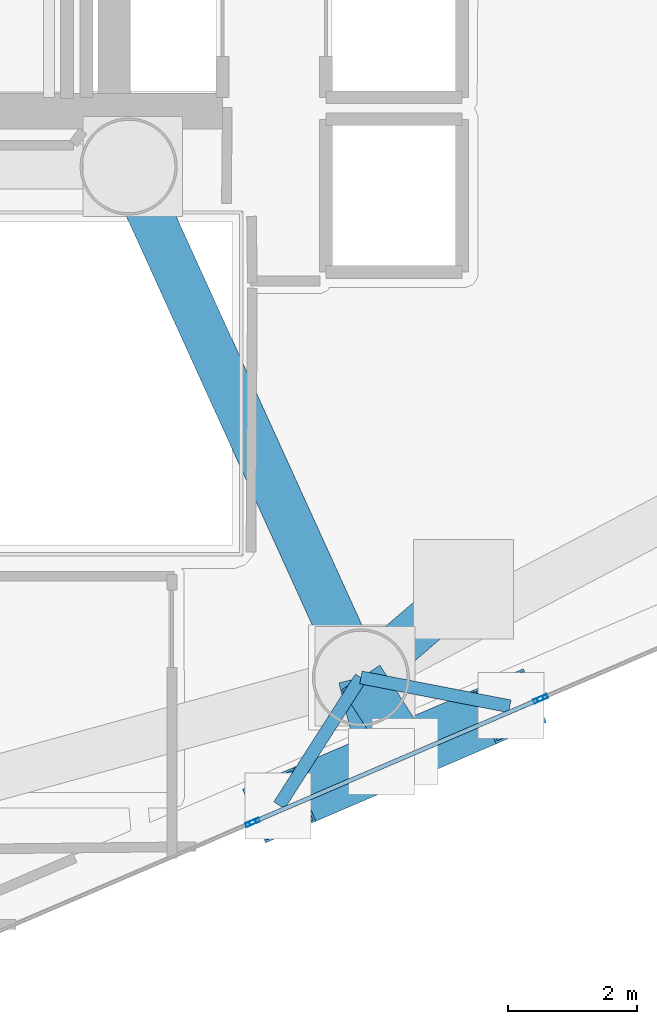
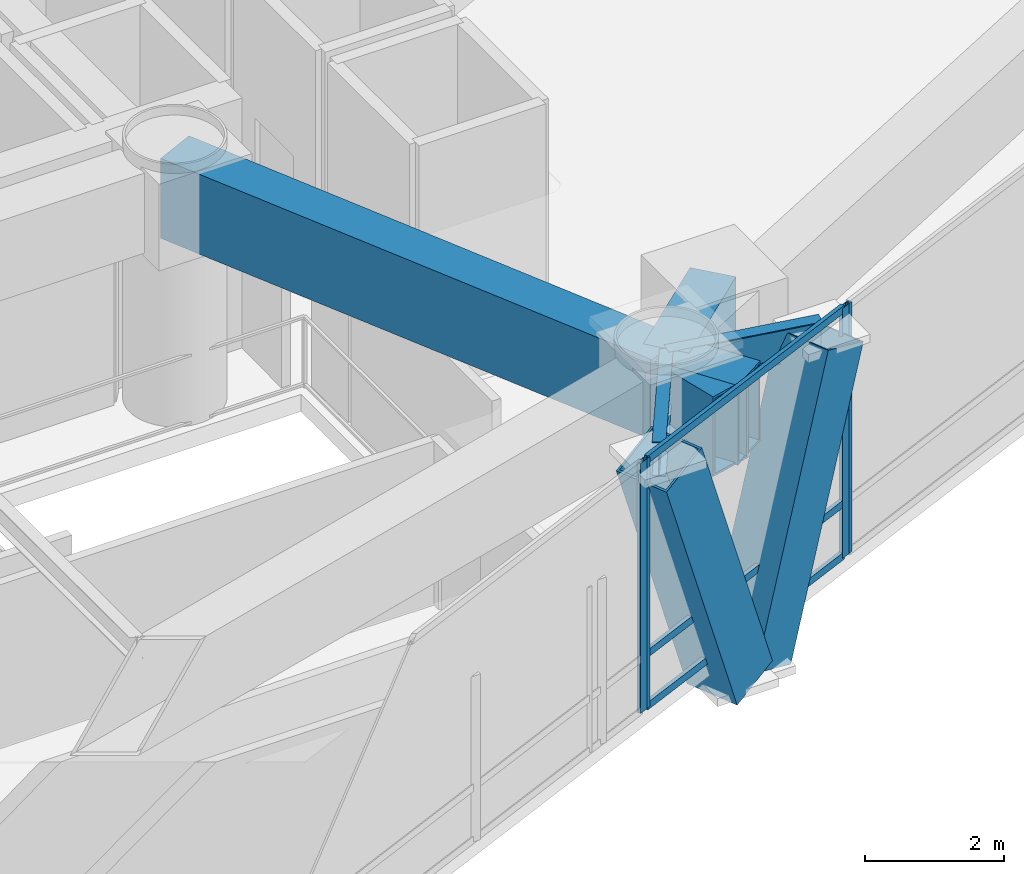
# One storey, part 4 of 22: 9 members, 6 beams, 3 elements without a shape of their own.
"""IFC4 building model written with IfcOpenShell, lengths in metres."""

from ifc_helpers import new_model, si_unit, direction, frame, origin, origin_2d, place, context, subcontext, project, spatial, hollow_rectangle, i_section, extrude, material, layer, layer_set, material_profile, profile_set, type_object, element, aggregate, save


model = new_model("IFC4")

# Units and contexts
model_context = context("Model", 3, precision=1e-05, world=origin(), true_north=direction((0.0, 1.0)))
body_context = subcontext(model_context, "Body", "Model", "MODEL_VIEW")
ifc_project = project(units=[si_unit("LENGTHUNIT", "METRE"), si_unit("AREAUNIT", "SQUARE_METRE"), si_unit("VOLUMEUNIT", "CUBIC_METRE"), si_unit("PLANEANGLEUNIT", "RADIAN"), si_unit("MASSUNIT", "GRAM", prefix="KILO")], contexts=[model_context])

# Site, building, storey
site_placement = place(None, origin())
site = spatial("IfcSite", under=ifc_project, at=site_placement, CompositionType="ELEMENT")
building_placement = place(site_placement, origin())
building = spatial("IfcBuilding", under=site, at=building_placement, Name="Qianvela Tower", CompositionType="ELEMENT")
storey_placement = place(building_placement, frame((0.0, 0.0, 138.5)))
storey = spatial("IfcBuildingStorey", under=building, at=storey_placement, Name="L35", CompositionType="ELEMENT", Elevation=138.5)

# Beams
ifc_material_1 = material(Name="Steel Q355B", Category="steel")
ifc_material_profile_1 = material_profile(ifc_material_1, i_section(OverallWidth=0.199951171875, OverallDepth=0.60009765625, WebThickness=0.010986328125, FlangeThickness=0.01708984375, at=origin_2d()), Name="HN600x200x11x17")
ifc_profile_set_1 = profile_set([ifc_material_profile_1], Name="Steel Q355B")
beam_type_1 = type_object("IfcBeamType", Name="BM-HN600-GIRD", PredefinedType="BEAM", material=ifc_profile_set_1)
for number, where, z_axis, x_axis, name in (
    (1, (41.988037109375, 15.95703125, 4.077880859375), (-0.538391332116, -0.842694946883, 0.0), (0.842694946883, -0.538391332116, 0.0), "L35 Mega-Brace Column Tie Bracket F3-1"),
    (2, (41.988037109375, 15.95703125, 4.077880859375), (0.981760410299, -0.190122320543, 0.0), (0.190122320543, 0.981760410299, 0.0), "L35 Mega-Brace Column Tie Bracket F3-2"),
):
    element("IfcBeam", number, at=place(storey_placement, frame(where, z_axis=z_axis, x_axis=x_axis)), inside=storey, type_object=beam_type_1, Name=name, PredefinedType="BEAM", context=body_context, shape_type="SweptSolid", body=[
        extrude(i_section(OverallWidth=0.199951171875, OverallDepth=0.60009765625, WebThickness=0.010986328125, FlangeThickness=0.01708984375, at=origin_2d()), origin(), (0.0, 0.0, 1.0), 2.343505859375),
    ])
ifc_material_2 = material(Name="Steel Q420GJC", Category="steel")
ifc_material_profile_2 = material_profile(ifc_material_2, hollow_rectangle(XDim=0.699951171875, YDim=1.39990234375, WallThickness=0.0400390625, at=origin_2d()), Name="TG-BOX-1400x700x40")
ifc_profile_set_2 = profile_set([ifc_material_profile_2], Name="Steel Q420GJC")
beam_type_2 = type_object("IfcBeamType", Name="BM-TG-RAD-1400", PredefinedType="BEAM", material=ifc_profile_set_2)
beam_1_placement = place(storey_placement, frame((38.39990234375, 23.85009765625, 3.677978515625), z_axis=(0.413839009437, -0.910350083357, 0.0), x_axis=(0.910350083357, 0.413839009437, 0.0)))
element("IfcBeam", 3, at=beam_1_placement, inside=storey, type_object=beam_type_2, Name="L35 Radial Outrigger Top Transfer Girder 6", PredefinedType="BEAM", context=body_context, shape_type="SweptSolid", body=[
    extrude(hollow_rectangle(XDim=0.699951171875, YDim=1.39990234375, WallThickness=0.0400390625, at=origin_2d()), origin(), (0.0, 0.0, 1.0), 8.67041015625),
])
ifc_material_3 = material(Name="Steel Q420GJC", Category="steel")
ifc_material_profile_3 = material_profile(ifc_material_3, hollow_rectangle(XDim=0.699951171875, YDim=1.39990234375, WallThickness=0.0400390625, at=origin_2d()), Name="TG-BOX-1400x700x40")
ifc_profile_set_3 = profile_set([ifc_material_profile_3], Name="Steel Q420GJC")
beam_type_3 = type_object("IfcBeamType", Name="BM-TG-STEP-1400", PredefinedType="BEAM", material=ifc_profile_set_3)
for number, where, z_axis, x_axis, name in (
    (4, (41.988037109375, 15.95703125, 3.675048828125), (0.237671604673, -0.971345565868, 0.0), (0.971345565868, 0.237671604673, 0.0), "L35 Mega-Brace Zone Base Bracket F3-1"),
    (5, (41.988037109375, 15.95703125, 3.675048828125), (0.540443377634, -0.841380386966, 0.0), (0.841380386966, 0.540443377634, 0.0), "L35 Mega-Brace Zone Base Bracket F3-2"),
):
    element("IfcBeam", number, at=place(storey_placement, frame(where, z_axis=z_axis, x_axis=x_axis)), inside=storey, type_object=beam_type_3, Name=name, PredefinedType="BEAM", context=body_context, shape_type="SweptSolid", body=[
        extrude(hollow_rectangle(XDim=0.699951171875, YDim=1.39990234375, WallThickness=0.0400390625, at=origin_2d()), origin(), (0.0, 0.0, 1.0), 1.33544921875),
    ])
beam_2_placement = place(storey_placement, frame((41.988037109375, 15.95703125, 3.677978515625), z_axis=(0.758107793346, 0.652129261472, 0.0), x_axis=(-0.652129261472, 0.758107793346, 0.0)))
element("IfcBeam", 6, at=beam_2_placement, inside=storey, type_object=beam_type_3, Name="L35 Zone-Step Transfer Girder 6", PredefinedType="BEAM", context=body_context, shape_type="SweptSolid", body=[
    extrude(hollow_rectangle(XDim=0.699951171875, YDim=1.39990234375, WallThickness=0.0400390625, at=origin_2d()), origin(), (0.0, 0.0, 1.0), 2.02734375),
])

# Curtain wall, members
ifc_material_4 = material(Name="Anodised Architectural Aluminium and Insulated Spandrel Panel", Category="aluminium")
ifc_layer_1 = layer(ifc_material_4, 0.179931640625)
ifc_layer_set_1 = layer_set([ifc_layer_1], Name="Anodised Architectural Aluminium and Insulated Spandrel Panel")
curtain_wall_type_1 = type_object("IfcCurtainWallType", Name="CW-BRACEBAY", PredefinedType="USERDEFINED", material=ifc_layer_set_1)
curtain_wall_1_placement = place(storey_placement, origin())
curtain_wall_1 = element("IfcCurtainWall", 7, at=curtain_wall_1_placement, inside=storey, type_object=curtain_wall_type_1, Name="L35 CW-BRACEBAY Curtain Wall 06B", ObjectType="CURTAIN_WALL_SYSTEM", PredefinedType="USERDEFINED")
ifc_material_5 = material(Name="Anodised Architectural Aluminium 6063-T6", Category="aluminium")
ifc_material_profile_4 = material_profile(ifc_material_5, hollow_rectangle(XDim=0.06494140625, YDim=0.159912109375, WallThickness=0.0048828125, at=origin_2d()), Name="ALU-MULL-65x160")
ifc_profile_set_4 = profile_set([ifc_material_profile_4], Name="Anodised Architectural Aluminium 6063-T6")
member_type_1 = type_object("IfcMemberType", Name="CW-BRACEBAY-MULL", PredefinedType="MULLION", material=ifc_profile_set_4)
member_1_placement = place(storey_placement, frame((40.344970703125, 13.7314453125, 0.0), z_axis=(0.0, 0.0, 1.0), x_axis=(-0.394465328291, 0.918910825258, 0.0)))
member_1 = element("IfcMember", 8, at=member_1_placement, type_object=member_type_1, Name="CW-9 mullion 1", PredefinedType="MULLION", context=body_context, shape_type="SweptSolid", body=[
    extrude(hollow_rectangle(XDim=0.06494140625, YDim=0.159912109375, WallThickness=0.0048828125, at=origin_2d()), origin(), (0.0, 0.0, 1.0), 4.3798828125),
])
member_2_placement = place(storey_placement, frame((44.73291015625, 15.614990234375, 0.0), z_axis=(0.0, 0.0, 1.0), x_axis=(-0.394465328291, 0.918910825258, 0.0)))
member_2 = element("IfcMember", 9, at=member_2_placement, type_object=member_type_1, Name="CW-9 mullion 2", PredefinedType="MULLION", context=body_context, shape_type="SweptSolid", body=[
    extrude(hollow_rectangle(XDim=0.06494140625, YDim=0.159912109375, WallThickness=0.0048828125, at=origin_2d()), origin(), (0.0, 0.0, 1.0), 4.3798828125),
])
ifc_material_6 = material(Name="Anodised Architectural Aluminium 6063-T6", Category="aluminium")
ifc_material_profile_5 = material_profile(ifc_material_6, hollow_rectangle(XDim=0.06494140625, YDim=0.1298828125, WallThickness=0.00439453125, at=origin_2d()), Name="ALU-TRAN-65x130")
ifc_profile_set_5 = profile_set([ifc_material_profile_5], Name="Anodised Architectural Aluminium 6063-T6")
member_type_2 = type_object("IfcMemberType", Name="CW-BRACEBAY-TRAN", PredefinedType="USERDEFINED", material=ifc_profile_set_5)
member_3_placement = place(storey_placement, frame((40.375, 13.744140625, 0.032470703125), z_axis=(0.918906234569, 0.394476022174, 0.0), x_axis=(-0.394476022174, 0.918906234569, 0.0)))
member_3 = element("IfcMember", 10, at=member_3_placement, type_object=member_type_2, Name="CW-9 transom 1.1", ObjectType="TRANSOM", PredefinedType="USERDEFINED", context=body_context, shape_type="SweptSolid", body=[
    extrude(hollow_rectangle(XDim=0.06494140625, YDim=0.1298828125, WallThickness=0.00439453125, at=origin_2d()), origin(), (0.0, 0.0, 1.0), 4.709716796875),
])
member_4_placement = place(storey_placement, frame((40.375, 13.744140625, 0.949951171875), z_axis=(0.918906234569, 0.394476022174, 0.0), x_axis=(-0.394476022174, 0.918906234569, 0.0)))
member_4 = element("IfcMember", 11, at=member_4_placement, type_object=member_type_2, Name="CW-9 transom 1.2", ObjectType="TRANSOM", PredefinedType="USERDEFINED", context=body_context, shape_type="SweptSolid", body=[
    extrude(hollow_rectangle(XDim=0.06494140625, YDim=0.1298828125, WallThickness=0.00439453125, at=origin_2d()), origin(), (0.0, 0.0, 1.0), 4.709716796875),
])
member_5_placement = place(storey_placement, frame((40.375, 13.744140625, 4.347412109375), z_axis=(0.918906234569, 0.394476022174, 0.0), x_axis=(-0.394476022174, 0.918906234569, 0.0)))
member_5 = element("IfcMember", 12, at=member_5_placement, type_object=member_type_2, Name="CW-9 transom 1.3", ObjectType="TRANSOM", PredefinedType="USERDEFINED", context=body_context, shape_type="SweptSolid", body=[
    extrude(hollow_rectangle(XDim=0.06494140625, YDim=0.1298828125, WallThickness=0.00439453125, at=origin_2d()), origin(), (0.0, 0.0, 1.0), 4.709716796875),
])
aggregate(curtain_wall_1, [member_1, member_2, member_3, member_4, member_5])

# Curtain wall, member
ifc_material_7 = material(Name="Anodised Architectural Aluminium and Low-E Glass", Category="aluminium")
ifc_layer_2 = layer(ifc_material_7, 0.169921875)
ifc_layer_set_2 = layer_set([ifc_layer_2], Name="Anodised Architectural Aluminium and Low-E Glass")
curtain_wall_type_2 = type_object("IfcCurtainWallType", Name="CW-COLIV-Z34", PredefinedType="USERDEFINED", material=ifc_layer_set_2)
curtain_wall_2_placement = place(storey_placement, origin())
curtain_wall_2 = element("IfcCurtainWall", 13, at=curtain_wall_2_placement, inside=storey, type_object=curtain_wall_type_2, Name="L35 CW-COLIV-Z34 Curtain Wall 06A", ObjectType="CURTAIN_WALL_SYSTEM", PredefinedType="USERDEFINED")
ifc_material_8 = material(Name="Anodised Architectural Aluminium 6063-T6", Category="aluminium")
ifc_material_profile_6 = material_profile(ifc_material_8, hollow_rectangle(XDim=0.06494140625, YDim=0.159912109375, WallThickness=0.0048828125, at=origin_2d()), Name="ALU-MULL-65x160")
ifc_profile_set_6 = profile_set([ifc_material_profile_6], Name="Anodised Architectural Aluminium 6063-T6")
member_type_3 = type_object("IfcMemberType", Name="CW-COLIV-Z34-MULL", PredefinedType="MULLION", material=ifc_profile_set_6)
member_6_placement = place(storey_placement, frame((40.285400390625, 13.705810546875, 0.0), z_axis=(0.0, 0.0, 1.0), x_axis=(-0.394474556403, 0.918906863806, 0.0)))
member_6 = element("IfcMember", 14, at=member_6_placement, type_object=member_type_3, Name="CW-4 mullion 2", PredefinedType="MULLION", context=body_context, shape_type="SweptSolid", body=[
    extrude(hollow_rectangle(XDim=0.06494140625, YDim=0.159912109375, WallThickness=0.0048828125, at=origin_2d()), origin(), (0.0, 0.0, 1.0), 4.3798828125),
])
aggregate(curtain_wall_2, [member_6])

curtain_wall_3_placement = place(storey_placement, origin())
curtain_wall_3 = element("IfcCurtainWall", 15, at=curtain_wall_3_placement, inside=storey, type_object=curtain_wall_type_2, Name="L35 CW-COLIV-Z34 Curtain Wall 06C", ObjectType="CURTAIN_WALL_SYSTEM", PredefinedType="USERDEFINED")
member_7_placement = place(storey_placement, frame((44.79248046875, 15.640625, 0.0), z_axis=(0.0, 0.0, 1.0), x_axis=(-0.394471812276, 0.918908041819, 0.0)))
member_7 = element("IfcMember", 16, at=member_7_placement, type_object=member_type_3, Name="CW-4 mullion 1", PredefinedType="MULLION", context=body_context, shape_type="SweptSolid", body=[
    extrude(hollow_rectangle(XDim=0.06494140625, YDim=0.159912109375, WallThickness=0.0048828125, at=origin_2d()), origin(), (0.0, 0.0, 1.0), 4.3798828125),
])
aggregate(curtain_wall_3, [member_7])

# Members
ifc_material_9 = material(Name="Steel Q420GJC", Category="steel")
ifc_material_profile_7 = material_profile(ifc_material_9, hollow_rectangle(XDim=0.89990234375, YDim=0.89990234375, WallThickness=0.035888671875, at=origin_2d()), Name="MBOX-900x900x36")
ifc_profile_set_7 = profile_set([ifc_material_profile_7], Name="Steel Q420GJC")
member_type_4 = type_object("IfcMemberType", Name="MBR-MBRACE-900", PredefinedType="BRACE", material=ifc_profile_set_7)
member_8_placement = place(storey_placement, frame((42.284423828125, 14.65087890625, -0.60205078125), z_axis=(-0.313022729303, -0.134341782444, 0.940196286118), x_axis=(0.394388455862, -0.918943820852, 0.0)))
element("IfcMember", 17, at=member_8_placement, inside=storey, type_object=member_type_4, Name="L35 Tier 6 Exterior Mega-Brace F3A", PredefinedType="BRACE", context=body_context, shape_type="SweptSolid", body=[
    extrude(hollow_rectangle(XDim=0.89990234375, YDim=0.89990234375, WallThickness=0.035888671875, at=origin_2d()), origin(), (0.0, 0.0, 1.0), 4.9775390625),
])
member_9_placement = place(storey_placement, frame((42.688720703125, 14.824462890625, -0.60205078125), z_axis=(0.320442424046, 0.137583915359, 0.937223195992), x_axis=(-0.394528365491, 0.918883762411, 0.0)))
element("IfcMember", 18, at=member_9_placement, inside=storey, type_object=member_type_4, Name="L35 Tier 6 Exterior Mega-Brace F3B", PredefinedType="BRACE", context=body_context, shape_type="SweptSolid", body=[
    extrude(hollow_rectangle(XDim=0.89990234375, YDim=0.89990234375, WallThickness=0.035888671875, at=origin_2d()), origin(), (0.0, 0.0, 1.0), 4.993408203125),
])

save(model, "model.ifc")
